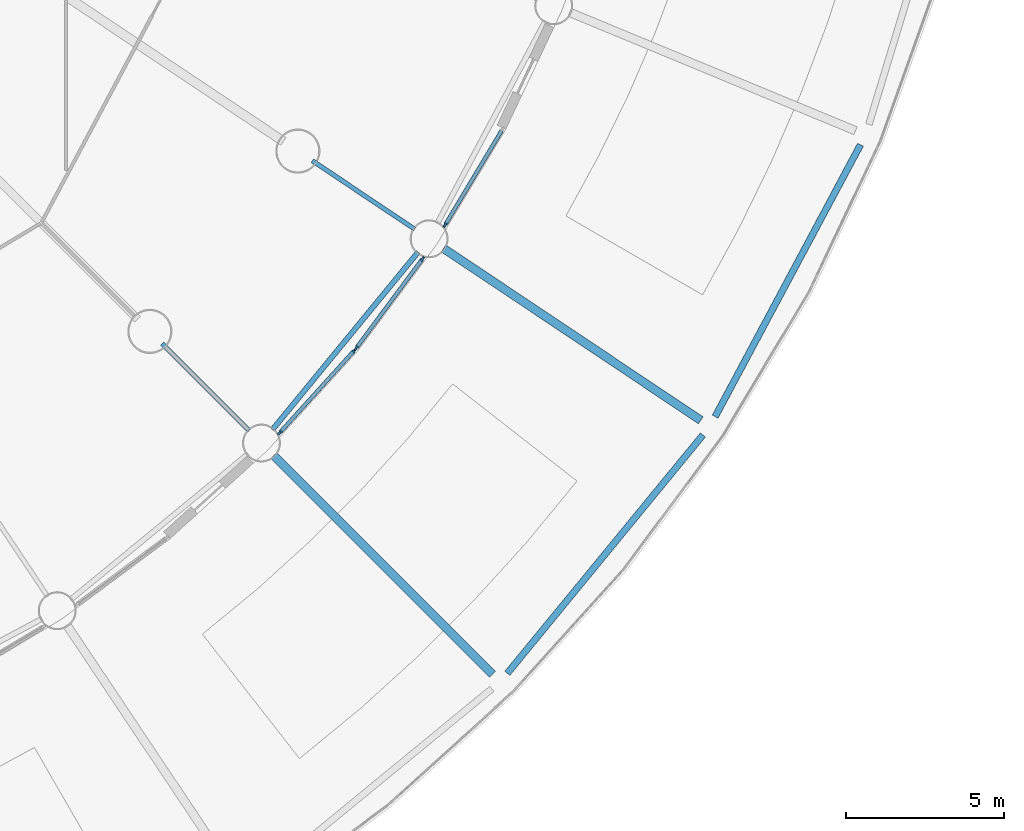
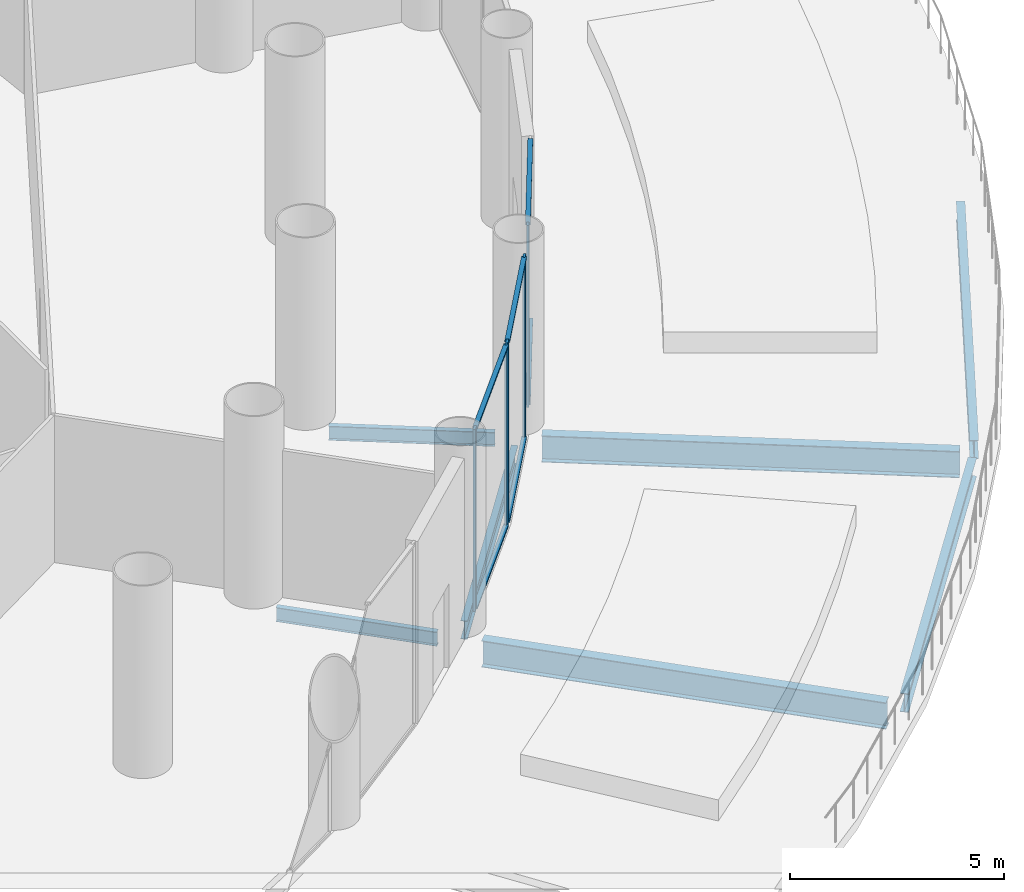
# One storey, part 12 of 36: 11 members, 7 beams, 3 elements without a shape of their own.
"""IFC4 building model written with IfcOpenShell, lengths in metres."""

from ifc_helpers import new_model, si_unit, direction, frame, origin, origin_2d, place, context, subcontext, project, spatial, rectangle, i_section, extrude, material, material_profile, profile_set, type_object, element, aggregate, save


model = new_model("IFC4")

# Units and contexts
model_context = context("Model", 3, precision=1e-05, world=origin(), true_north=direction((0.0, 1.0)))
body_context = subcontext(model_context, "Body", "Model", "MODEL_VIEW")
ifc_project = project(units=[si_unit("LENGTHUNIT", "METRE"), si_unit("AREAUNIT", "SQUARE_METRE"), si_unit("VOLUMEUNIT", "CUBIC_METRE"), si_unit("PLANEANGLEUNIT", "RADIAN"), si_unit("MASSUNIT", "GRAM", prefix="KILO")], contexts=[model_context])

# Site, building, storey
site_placement = place(None, origin())
site = spatial("IfcSite", under=ifc_project, at=site_placement, CompositionType="ELEMENT")
building_placement = place(site_placement, origin())
building = spatial("IfcBuilding", under=site, at=building_placement, Name="Corvane Civic Tower", CompositionType="ELEMENT")
storey_placement = place(building_placement, frame((0.0, 0.0, 6.0)))
storey = spatial("IfcBuildingStorey", under=building, at=storey_placement, Name="L01", CompositionType="ELEMENT", Elevation=6.0)

# Beams
ifc_material_1 = material(Name="Steel ASTM A992 Gr 50", Category="steel")
ifc_material_profile_1 = material_profile(ifc_material_1, i_section(OverallWidth=0.2666015625, OverallDepth=0.7568359375, WebThickness=0.013916015625, FlangeThickness=0.019287109375, at=origin_2d()), Name="W30X108")
ifc_profile_set_1 = profile_set([ifc_material_profile_1], Name="Steel ASTM A992 Gr 50")
beam_type_1 = type_object("IfcBeamType", Name="DECK BEAM W30X108", PredefinedType="BEAM", material=ifc_profile_set_1)
beam_1_placement = place(storey_placement, frame((35.961181640625, -24.0283203125, -0.678466796875), z_axis=(0.831463421309, -0.555579498385, 0.0), x_axis=(0.555579498385, 0.831463421309, 0.0)))
element("IfcBeam", 1, at=beam_1_placement, inside=storey, type_object=beam_type_1, Name="BM-L01-D12", PredefinedType="BEAM", context=body_context, shape_type="SweptSolid", body=[
    extrude(i_section(OverallWidth=0.2666015625, OverallDepth=0.7568359375, WebThickness=0.013916015625, FlangeThickness=0.019287109375, at=origin_2d()), origin(), (0.0, 0.0, 1.0), 9.7998046875),
])
beam_2_placement = place(storey_placement, frame((30.582275390625, -30.582275390625, -0.678466796875), z_axis=(0.707106781187, -0.707106781187, 0.0), x_axis=(0.707106781187, 0.707106781187, 0.0)))
element("IfcBeam", 2, at=beam_2_placement, inside=storey, type_object=beam_type_1, Name="BM-L01-D13", PredefinedType="BEAM", context=body_context, shape_type="SweptSolid", body=[
    extrude(i_section(OverallWidth=0.2666015625, OverallDepth=0.7568359375, WebThickness=0.013916015625, FlangeThickness=0.019287109375, at=origin_2d()), origin(), (0.0, 0.0, 1.0), 9.800048828125),
])
ifc_material_2 = material(Name="Steel ASTM A992 Gr 50", Category="steel")
ifc_material_profile_2 = material_profile(ifc_material_2, i_section(OverallWidth=0.165771484375, OverallDepth=0.5283203125, WebThickness=0.009765625, FlangeThickness=0.013671875, at=origin_2d()), Name="W21X50")
ifc_profile_set_2 = profile_set([ifc_material_profile_2], Name="Steel ASTM A992 Gr 50")
beam_type_2 = type_object("IfcBeamType", Name="EDGE BEAM W21X50", PredefinedType="BEAM", material=ifc_profile_set_2)
beam_3_placement = place(storey_placement, frame((35.15478515625, -24.14794921875, -0.564208984375), z_axis=(-0.634396365205, -0.773007924807, 0.0), x_axis=(0.773007924807, -0.634396365205, 0.0)))
element("IfcBeam", 3, at=beam_3_placement, inside=storey, type_object=beam_type_2, Name="BM-L01-E12", PredefinedType="BEAM", context=body_context, shape_type="SweptSolid", body=[
    extrude(i_section(OverallWidth=0.165771484375, OverallDepth=0.5283203125, WebThickness=0.009765625, FlangeThickness=0.013671875, at=origin_2d()), origin(), (0.0, 0.0, 1.0), 7.270751953125),
])
ifc_material_3 = material(Name="Steel ASTM A992 Gr 50", Category="steel")
ifc_material_profile_3 = material_profile(ifc_material_3, i_section(OverallWidth=0.209228515625, OverallDepth=0.533447265625, WebThickness=0.01025390625, FlangeThickness=0.015625, at=origin_2d()), Name="W21X62")
ifc_profile_set_3 = profile_set([ifc_material_profile_3], Name="Steel ASTM A992 Gr 50")
beam_type_3 = type_object("IfcBeamType", Name="EDGE BEAM W21X62", PredefinedType="BEAM", material=ifc_profile_set_3)
for number, where, z_axis, x_axis, name in (
    (4, (49.170166015625, -20.743896484375, -0.566650390625), (-0.471391012889, -0.881924323833, 0.0), (0.881924323833, -0.471391012889, 0.0), "BM-L01-H11"),
    (5, (44.178466796875, -29.93798828125, -0.566650390625), (-0.634396654537, -0.773007687357, 0.0), (0.773007687357, -0.634396654537, 0.0), "BM-L01-H12"),
):
    element("IfcBeam", number, at=place(storey_placement, frame(where, z_axis=z_axis, x_axis=x_axis)), inside=storey, type_object=beam_type_3, Name=name, PredefinedType="BEAM", context=body_context, shape_type="SweptSolid", body=[
        extrude(i_section(OverallWidth=0.209228515625, OverallDepth=0.533447265625, WebThickness=0.01025390625, FlangeThickness=0.015625, at=origin_2d()), origin(), (0.0, 0.0, 1.0), 9.768310546875),
    ])
ifc_material_4 = material(Name="Steel ASTM A992 Gr 50", Category="steel")
ifc_material_profile_4 = material_profile(ifc_material_4, i_section(OverallWidth=0.140380859375, OverallDepth=0.40380859375, WebThickness=0.007080078125, FlangeThickness=0.01123046875, at=origin_2d()), Name="W16X31")
ifc_profile_set_4 = profile_set([ifc_material_profile_4], Name="Steel ASTM A992 Gr 50")
beam_type_4 = type_object("IfcBeamType", Name="FLOOR GIRDER W16X31", PredefinedType="BEAM", material=ifc_profile_set_4)
for number, where, z_axis, x_axis, name in (
    (6, (31.8037109375, -21.25048828125, -0.501953125), (0.831462344301, -0.555581110199, 0.0), (0.555581110199, 0.831462344301, 0.0), "BM-L01-G12b"),
    (7, (27.046875, -27.046875, -0.501953125), (0.707106781187, -0.707106781187, 0.0), (0.707106781187, 0.707106781187, 0.0), "BM-L01-G13b"),
):
    element("IfcBeam", number, at=place(storey_placement, frame(where, z_axis=z_axis, x_axis=x_axis)), inside=storey, type_object=beam_type_4, Name=name, PredefinedType="BEAM", context=body_context, shape_type="SweptSolid", body=[
        extrude(i_section(OverallWidth=0.140380859375, OverallDepth=0.40380859375, WebThickness=0.007080078125, FlangeThickness=0.01123046875, at=origin_2d()), origin(), (0.0, 0.0, 1.0), 3.89990234375),
    ])

# Curtain wall, member
ifc_material_5 = material(Name="Aluminium and glass", Category="aluminium")
curtain_wall_type = type_object("IfcCurtainWallType", Name="PODIUM-CW-P-RUN", PredefinedType="NOTDEFINED", material=ifc_material_5)
curtain_wall_1_placement = place(storey_placement, origin())
curtain_wall_1 = element("IfcCurtainWall", 8, at=curtain_wall_1_placement, inside=storey, type_object=curtain_wall_type, Name="PODI run L01-drum-11B", PredefinedType="NOTDEFINED")
ifc_material_6 = material(Name="Anodised aluminium bronze", Category="aluminium")
ifc_material_profile_5 = material_profile(ifc_material_6, rectangle(XDim=0.06005859375, YDim=0.159912109375, at=origin_2d()), Name="AL 60x160")
ifc_profile_set_5 = profile_set([ifc_material_profile_5], Name="Anodised aluminium bronze")
member_type_1 = type_object("IfcMemberType", Name="PODIUM-CWP-MULLION-60x160", PredefinedType="MULLION", material=ifc_profile_set_5)
member_1_placement = place(storey_placement, frame((36.010009765625, -23.28564453125, 0.0), z_axis=(0.0, 0.0, 1.0), x_axis=(0.857719609779, -0.514117759857, 0.0)))
member_1 = element("IfcMember", 9, at=member_1_placement, type_object=member_type_1, Name="CW-P mullion 2", PredefinedType="MULLION", context=body_context, shape_type="SweptSolid", body=[
    extrude(rectangle(XDim=0.06005859375, YDim=0.159912109375, at=origin_2d()), origin(), (0.0, 0.0, 1.0), 5.199951171875),
])

# Curtain wall, members
curtain_wall_2_placement = place(storey_placement, origin())
curtain_wall_2 = element("IfcCurtainWall", 10, at=curtain_wall_2_placement, inside=storey, type_object=curtain_wall_type, Name="PODI run L01-drum-12A", PredefinedType="NOTDEFINED")
member_2_placement = place(storey_placement, frame((35.293701171875, -24.35791015625, 0.0), z_axis=(0.0, 0.0, 1.0), x_axis=(0.803203229747, -0.595705104665, 0.0)))
member_2 = element("IfcMember", 11, at=member_2_placement, type_object=member_type_1, Name="CW-P mullion 1", PredefinedType="MULLION", context=body_context, shape_type="SweptSolid", body=[
    extrude(rectangle(XDim=0.06005859375, YDim=0.159912109375, at=origin_2d()), origin(), (0.0, 0.0, 1.0), 5.199951171875),
])
member_3_placement = place(storey_placement, frame((33.197021484375, -27.18505859375, 0.0), z_axis=(0.0, 0.0, 1.0), x_axis=(0.803203229747, -0.595705104665, 0.0)))
member_3 = element("IfcMember", 12, at=member_3_placement, type_object=member_type_1, Name="CW-P mullion 2", PredefinedType="MULLION", context=body_context, shape_type="SweptSolid", body=[
    extrude(rectangle(XDim=0.06005859375, YDim=0.159912109375, at=origin_2d()), origin(), (0.0, 0.0, 1.0), 5.199951171875),
])

curtain_wall_3_placement = place(storey_placement, origin())
curtain_wall_3 = element("IfcCurtainWall", 13, at=curtain_wall_3_placement, inside=storey, type_object=curtain_wall_type, Name="PODI run L01-drum-12B", PredefinedType="NOTDEFINED")
member_4_placement = place(storey_placement, frame((33.13916015625, -27.25537109375, 0.0), z_axis=(0.0, 0.0, 1.0), x_axis=(0.740935261089, -0.671576457952, 0.0)))
member_4 = element("IfcMember", 14, at=member_4_placement, type_object=member_type_1, Name="CW-P mullion 1", PredefinedType="MULLION", context=body_context, shape_type="SweptSolid", body=[
    extrude(rectangle(XDim=0.06005859375, YDim=0.159912109375, at=origin_2d()), origin(), (0.0, 0.0, 1.0), 5.199951171875),
])
member_5_placement = place(storey_placement, frame((30.775390625, -29.863525390625, 0.0), z_axis=(0.0, 0.0, 1.0), x_axis=(0.740935261089, -0.671576457952, 0.0)))
member_5 = element("IfcMember", 15, at=member_5_placement, type_object=member_type_1, Name="CW-P mullion 2", PredefinedType="MULLION", context=body_context, shape_type="SweptSolid", body=[
    extrude(rectangle(XDim=0.06005859375, YDim=0.159912109375, at=origin_2d()), origin(), (0.0, 0.0, 1.0), 5.199951171875),
])

# Member
ifc_material_7 = material(Name="Anodised aluminium bronze", Category="aluminium")
ifc_material_profile_6 = material_profile(ifc_material_7, rectangle(XDim=0.1201171875, YDim=0.06005859375, at=origin_2d()), Name="AL 120x60")
ifc_profile_set_6 = profile_set([ifc_material_profile_6], Name="Anodised aluminium bronze")
member_type_2 = type_object("IfcMemberType", Name="PODIUM-CWP-TRANSOM-60x120", PredefinedType="USERDEFINED", material=ifc_profile_set_6)
member_6_placement = place(storey_placement, frame((37.80419921875, -20.29248046875, 0.030029296875), z_axis=(-0.514111713099, -0.857723234181, 0.0), x_axis=(0.857723234181, -0.514111713099, 0.0)))
member_6 = element("IfcMember", 16, at=member_6_placement, type_object=member_type_2, Name="CW-P transom 1.1", ObjectType="TRANSOM", PredefinedType="USERDEFINED", context=body_context, shape_type="SweptSolid", body=[
    extrude(rectangle(XDim=0.1201171875, YDim=0.06005859375, at=origin_2d()), origin(), (0.0, 0.0, 1.0), 3.45947265625),
])

member_7_placement = place(storey_placement, frame((37.80419921875, -20.29248046875, 5.169921875), z_axis=(-0.514111713099, -0.857723234181, 0.0), x_axis=(0.857723234181, -0.514111713099, 0.0)))
member_7 = element("IfcMember", 17, at=member_7_placement, type_object=member_type_2, Name="CW-P transom 1.2", ObjectType="TRANSOM", PredefinedType="USERDEFINED", context=body_context, shape_type="SweptSolid", body=[
    extrude(rectangle(XDim=0.1201171875, YDim=0.06005859375, at=origin_2d()), origin(), (0.0, 0.0, 1.0), 3.45947265625),
])

aggregate(curtain_wall_1, [member_1, member_6, member_7])

member_8_placement = place(storey_placement, frame((35.27587890625, -24.382080078125, 0.030029296875), z_axis=(-0.595723591285, -0.803189518598, 0.0), x_axis=(0.803189518598, -0.595723591285, 0.0)))
member_8 = element("IfcMember", 18, at=member_8_placement, type_object=member_type_2, Name="CW-P transom 1.1", ObjectType="TRANSOM", PredefinedType="USERDEFINED", context=body_context, shape_type="SweptSolid", body=[
    extrude(rectangle(XDim=0.1201171875, YDim=0.06005859375, at=origin_2d()), origin(), (0.0, 0.0, 1.0), 3.459716796875),
])

member_9_placement = place(storey_placement, frame((35.27587890625, -24.382080078125, 5.169921875), z_axis=(-0.595723591285, -0.803189518598, 0.0), x_axis=(0.803189518598, -0.595723591285, 0.0)))
member_9 = element("IfcMember", 19, at=member_9_placement, type_object=member_type_2, Name="CW-P transom 1.2", ObjectType="TRANSOM", PredefinedType="USERDEFINED", context=body_context, shape_type="SweptSolid", body=[
    extrude(rectangle(XDim=0.1201171875, YDim=0.06005859375, at=origin_2d()), origin(), (0.0, 0.0, 1.0), 3.459716796875),
])

aggregate(curtain_wall_2, [member_2, member_3, member_8, member_9])

member_10_placement = place(storey_placement, frame((33.119140625, -27.277587890625, 0.030029296875), z_axis=(-0.671576323599, -0.740935382865, 0.0), x_axis=(0.740935382865, -0.671576323599, 0.0)))
member_10 = element("IfcMember", 20, at=member_10_placement, type_object=member_type_2, Name="CW-P transom 1.1", ObjectType="TRANSOM", PredefinedType="USERDEFINED", context=body_context, shape_type="SweptSolid", body=[
    extrude(rectangle(XDim=0.1201171875, YDim=0.06005859375, at=origin_2d()), origin(), (0.0, 0.0, 1.0), 3.460205078125),
])

member_11_placement = place(storey_placement, frame((33.119140625, -27.277587890625, 5.169921875), z_axis=(-0.671576323599, -0.740935382865, 0.0), x_axis=(0.740935382865, -0.671576323599, 0.0)))
member_11 = element("IfcMember", 21, at=member_11_placement, type_object=member_type_2, Name="CW-P transom 1.2", ObjectType="TRANSOM", PredefinedType="USERDEFINED", context=body_context, shape_type="SweptSolid", body=[
    extrude(rectangle(XDim=0.1201171875, YDim=0.06005859375, at=origin_2d()), origin(), (0.0, 0.0, 1.0), 3.460205078125),
])

aggregate(curtain_wall_3, [member_4, member_5, member_10, member_11])

save(model, "model.ifc")
